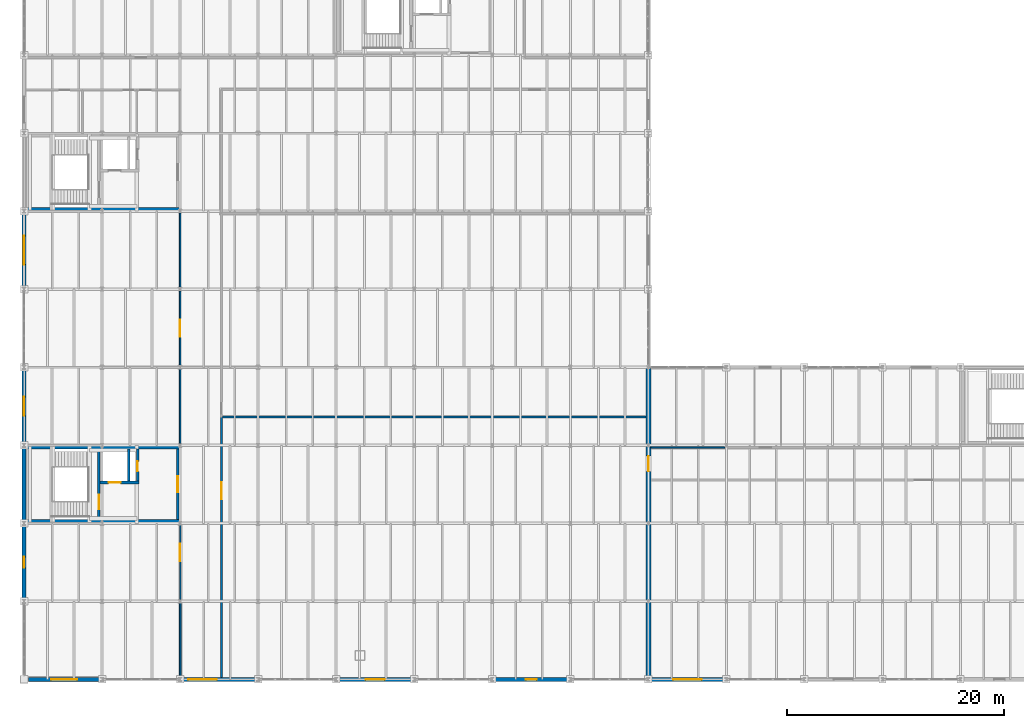
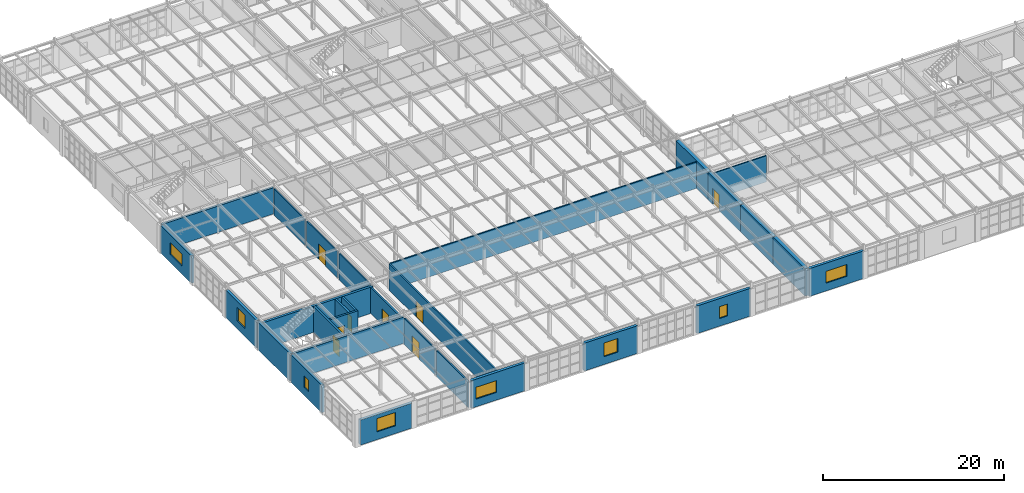
# One storey, part 122 of 137: 29 walls, 8 doors, 8 windows, 16 openings.
"""IFC4 building model written with IfcOpenShell, lengths in metres."""

from ifc_helpers import new_model, si_unit, direction, frame, frame_2d, origin, place, context, subcontext, project, spatial, rectangle, extrude, material, layer, layer_set, type_object, element, fill, save


model = new_model("IFC4")

# Units and contexts
model_context = context("Model", 3, precision=1e-05, world=origin(), true_north=direction((0.0, 1.0)))
body_context = subcontext(model_context, "Body", "Model", "MODEL_VIEW")
ifc_project = project(units=[si_unit("LENGTHUNIT", "METRE"), si_unit("AREAUNIT", "SQUARE_METRE"), si_unit("VOLUMEUNIT", "CUBIC_METRE"), si_unit("PLANEANGLEUNIT", "RADIAN"), si_unit("MASSUNIT", "GRAM", prefix="KILO")], contexts=[model_context])

# Site, building, storey
site_placement = place(None, origin())
site = spatial("IfcSite", under=ifc_project, at=site_placement, CompositionType="ELEMENT")
building_placement = place(site_placement, origin())
building = spatial("IfcBuilding", under=site, at=building_placement, Name="Kemerveld Promenade Tramway Depot", CompositionType="ELEMENT")
storey_placement = place(building_placement, frame((0.0, 0.0, 5.39990234375)))
storey = spatial("IfcBuildingStorey", under=building, at=storey_placement, Name="L01", CompositionType="ELEMENT", Elevation=5.39990234375)

# Wall, opening, door
ifc_material_1 = material(Name="Concrete C40/50", Category="concrete")
ifc_layer_1 = layer(ifc_material_1, 0.25)
ifc_layer_set_1 = layer_set([ifc_layer_1], Name="WL-CORE-250")
wall_type_1 = type_object("IfcWallType", Name="WL-CORE-250", PredefinedType="SHEAR", material=ifc_layer_set_1)
wall_1_placement = place(storey_placement, frame((6.89990234375, 14.75, 0.0), z_axis=(0.0, 0.0, 1.0), x_axis=(0.0, 1.0, 0.0)))
wall_1 = element("IfcWall", 1, at=wall_1_placement, inside=storey, type_object=wall_type_1, Name="WL-C1-L01-SDIV", PredefinedType="SHEAR", context=body_context, shape_type="SweptSolid", body=[
    extrude(rectangle(XDim=6.5, YDim=0.25, at=frame_2d((3.25, 0.0))), origin(), (0.0, 0.0, 1.0), 3.550048828125),
])
opening_1_placement = place(wall_1_placement, frame((0.949951171875, 0.0, 0.0)))
opening_1 = element("IfcOpeningElement", 2, at=opening_1_placement, cuts=wall_1, Name="Opening D-505", PredefinedType="OPENING", context=body_context, shape_type="SweptSolid", body=[
    extrude(rectangle(XDim=1.35009765625, YDim=2.14990234375, at=frame_2d((0.675048828125, 1.074951171875))), frame((0.0, 0.135009765625, 0.0), z_axis=(0.0, -1.0, 0.0), x_axis=(1.0, 0.0, 0.0)), (0.0, 0.0, 1.0), 0.27001953125),
])
ifc_material_2 = material(Name="Galvanised steel fire stair door", Category="steel")
door_type_1 = type_object("IfcDoorType", Name="DR-FD120", OperationType="NOTDEFINED", PredefinedType="DOOR", material=ifc_material_2)
door_1_placement = place(opening_1_placement, origin())
door_1 = element("IfcDoor", 3, at=door_1_placement, inside=storey, type_object=door_type_1, Name="DR-C1-L01-STAIR", OperationType="SINGLE_SWING_LEFT", OverallHeight=2.14990234375, OverallWidth=1.35009765625, PredefinedType="DOOR", context=body_context, shape_type="SweptSolid", body=[
    extrude(rectangle(XDim=1.35009765625, YDim=2.14990234375, at=frame_2d((0.675048828125, 1.074951171875))), frame((0.0, 0.02490234375, 0.0), z_axis=(0.0, -1.0, 0.0), x_axis=(1.0, 0.0, 0.0)), (0.0, 0.0, 1.0), 0.050048828125),
])
fill(opening_1, door_1)

wall_2_placement = place(storey_placement, frame((7.02490234375, 18.159912109375, 0.0), z_axis=(0.0, 0.0, 1.0), x_axis=(1.0, 0.0, 0.0)))
wall_2 = element("IfcWall", 4, at=wall_2_placement, inside=storey, type_object=wall_type_1, Name="WL-C1-L01-LSHS", PredefinedType="SHEAR", context=body_context, shape_type="SweptSolid", body=[
    extrude(rectangle(XDim=3.580078125, YDim=0.25, at=frame_2d((1.7900390625, 0.0))), origin(), (0.0, 0.0, 1.0), 3.550048828125),
])
opening_2_placement = place(wall_2_placement, frame((0.77490234375, 0.0, 0.0)))
opening_2 = element("IfcOpeningElement", 5, at=opening_2_placement, cuts=wall_2, Name="Opening LD-506", PredefinedType="OPENING", context=body_context, shape_type="SweptSolid", body=[
    extrude(rectangle(XDim=1.10009765625, YDim=2.14990234375, at=frame_2d((0.550048828125, 1.074951171875))), frame((0.0, 0.135009765625, 0.0), z_axis=(0.0, -1.0, 0.0), x_axis=(1.0, 0.0, 0.0)), (0.0, 0.0, 1.0), 0.27001953125),
])
ifc_material_3 = material(Name="Brushed stainless steel sliding lift landing door", Category="steel")
door_type_2 = type_object("IfcDoorType", Name="DR-LD01", OperationType="SLIDING_TO_LEFT", PredefinedType="DOOR", material=ifc_material_3)
door_2_placement = place(opening_2_placement, origin())
door_2 = element("IfcDoor", 6, at=door_2_placement, inside=storey, type_object=door_type_2, Name="DR-C1-L01-LIFT", OperationType="SLIDING_TO_LEFT", OverallHeight=2.14990234375, OverallWidth=1.10009765625, PredefinedType="DOOR", context=body_context, shape_type="SweptSolid", body=[
    extrude(rectangle(XDim=1.10009765625, YDim=2.14990234375, at=frame_2d((0.550048828125, 1.074951171875))), frame((0.0, 0.02490234375, 0.0), z_axis=(0.0, -1.0, 0.0), x_axis=(1.0, 0.0, 0.0)), (0.0, 0.0, 1.0), 0.050048828125),
])
fill(opening_2, door_2)

# Wall
wall_3_placement = place(storey_placement, frame((9.64990234375, 18.284912109375, 0.0), z_axis=(0.0, 0.0, 1.0), x_axis=(0.0, 1.0, 0.0)))
element("IfcWall", 7, at=wall_3_placement, inside=storey, type_object=wall_type_1, Name="WL-C1-L01-LSHM", PredefinedType="SHEAR", context=body_context, shape_type="SweptSolid", body=[
    extrude(rectangle(XDim=2.965087890625, YDim=0.25, at=frame_2d((1.482421875, 0.0))), origin(), (0.0, 0.0, 1.0), 3.550048828125),
])

# Wall, opening, door
wall_4_placement = place(storey_placement, frame((10.47998046875, 18.284912109375, 0.0), z_axis=(0.0, 0.0, 1.0), x_axis=(0.0, 1.0, 0.0)))
wall_4 = element("IfcWall", 8, at=wall_4_placement, inside=storey, type_object=wall_type_1, Name="WL-C1-L01-LSHE", PredefinedType="SHEAR", context=body_context, shape_type="SweptSolid", body=[
    extrude(rectangle(XDim=2.965087890625, YDim=0.25, at=frame_2d((1.482421875, 0.0))), origin(), (0.0, 0.0, 1.0), 3.550048828125),
])
opening_3_placement = place(wall_4_placement, frame((0.89990234375, 0.0, 0.0)))
opening_3 = element("IfcOpeningElement", 9, at=opening_3_placement, cuts=wall_4, Name="Opening D-507", PredefinedType="OPENING", context=body_context, shape_type="SweptSolid", body=[
    extrude(rectangle(XDim=0.919921875, YDim=2.050048828125, at=frame_2d((0.4599609375, 1.02490234375))), frame((0.0, 0.135009765625, 0.0), z_axis=(0.0, -1.0, 0.0), x_axis=(1.0, 0.0, 0.0)), (0.0, 0.0, 1.0), 0.27001953125),
])
ifc_material_4 = material(Name="Steel riser shaft access fire door", Category="steel")
door_type_3 = type_object("IfcDoorType", Name="DR-RSR01", OperationType="NOTDEFINED", PredefinedType="DOOR", material=ifc_material_4)
door_3_placement = place(opening_3_placement, origin())
door_3 = element("IfcDoor", 10, at=door_3_placement, inside=storey, type_object=door_type_3, Name="DR-C1-L01-RISER", OperationType="SINGLE_SWING_RIGHT", OverallHeight=2.050048828125, OverallWidth=0.919921875, PredefinedType="DOOR", context=body_context, shape_type="SweptSolid", body=[
    extrude(rectangle(XDim=0.919921875, YDim=2.050048828125, at=frame_2d((0.4599609375, 1.02490234375))), frame((0.0, 0.02490234375, 0.0), z_axis=(0.0, -1.0, 0.0), x_axis=(1.0, 0.0, 0.0)), (0.0, 0.0, 1.0), 0.050048828125),
])
fill(opening_3, door_3)

# Walls
ifc_layer_2 = layer(ifc_material_1, 0.300048828125)
ifc_layer_set_2 = layer_set([ifc_layer_2], Name="WL-CORE-300")
wall_type_2 = type_object("IfcWallType", Name="WL-CORE-300", PredefinedType="SHEAR", material=ifc_layer_set_2)
for number, where, z_axis, x_axis, name in (
    (11, (0.169921875, 14.60009765625, 0.0), (0.0, 0.0, 1.0), (1.0, 0.0, 0.0), "WL-C1-L01-S"),
    (12, (0.169921875, 21.39990234375, 0.0), (0.0, 0.0, 1.0), (1.0, 0.0, 0.0), "WL-C1-L01-N"),
    (13, (0.169921875, 43.39990234375, 0.0), (0.0, 0.0, 1.0), (1.0, 0.0, 0.0), "WL-C2-L01-S"),
):
    element("IfcWall", number, at=place(storey_placement, frame(where, z_axis=z_axis, x_axis=x_axis)), inside=storey, type_object=wall_type_2, Name=name, PredefinedType="SHEAR", context=body_context, shape_type="SweptSolid", body=[
        extrude(rectangle(XDim=14.22998046875, YDim=0.300048828125, at=frame_2d((7.114990234375, 0.0))), origin(), (0.0, 0.0, 1.0), 3.550048828125),
    ])

# Wall, opening, window
ifc_material_5 = material(Name="Banded granite and red-ochre clay brick masonry", Category="masonry")
ifc_layer_3 = layer(ifc_material_5, 0.35009765625)
ifc_layer_set_3 = layer_set([ifc_layer_3], Name="WL-EXT-350")
wall_type_3 = type_object("IfcWallType", Name="WL-EXT-350", PredefinedType="SOLIDWALL", material=ifc_layer_set_3)
wall_5_placement = place(storey_placement, frame((0.0, 7.383544921875, 0.0), z_axis=(0.0, 0.0, 1.0), x_axis=(0.0, 1.0, 0.0)))
wall_5 = element("IfcWall", 14, at=wall_5_placement, inside=storey, type_object=wall_type_3, Name="WL-L01-V5W-02", PredefinedType="SOLIDWALL", context=body_context, shape_type="SweptSolid", body=[
    extrude(rectangle(XDim=6.8330078125, YDim=0.35009765625, at=frame_2d((3.41650390625, 0.0))), origin(), (0.0, 0.0, 1.0), 3.70361328125),
])
opening_4_placement = place(wall_5_placement, frame((2.916015625, 0.0, 1.050048828125)))
opening_4 = element("IfcOpeningElement", 15, at=opening_4_placement, cuts=wall_5, Name="Opening W-141", PredefinedType="OPENING", context=body_context, shape_type="SweptSolid", body=[
    extrude(rectangle(XDim=1.0, YDim=1.60009765625, at=frame_2d((0.5, 0.800048828125))), frame((0.0, 0.18505859375, 0.0), z_axis=(0.0, -1.0, 0.0), x_axis=(1.0, 0.0, 0.0)), (0.0, 0.0, 1.0), 0.3701171875),
])
ifc_material_6 = material(Name="Bronze anodised aluminium and low-e glass", Category="aluminium")
window_type_1 = type_object("IfcWindowType", Name="WN-20", PartitioningType="SINGLE_PANEL", PredefinedType="WINDOW", material=ifc_material_6)
window_1_placement = place(opening_4_placement, origin())
window_1 = element("IfcWindow", 16, at=window_1_placement, inside=storey, type_object=window_type_1, Name="WN-L01-V5W-02", OverallHeight=1.60009765625, OverallWidth=1.0, PartitioningType="SINGLE_PANEL", PredefinedType="WINDOW", context=body_context, shape_type="SweptSolid", body=[
    extrude(rectangle(XDim=1.0, YDim=1.60009765625, at=frame_2d((0.5, 0.800048828125))), frame((0.0, 0.030029296875, 0.0), z_axis=(0.0, -1.0, 0.0), x_axis=(1.0, 0.0, 0.0)), (0.0, 0.0, 1.0), 0.06005859375),
])
fill(opening_4, window_1)

wall_6_placement = place(storey_placement, frame((0.0, 21.78369140625, 0.0), z_axis=(0.0, 0.0, 1.0), x_axis=(0.0, 1.0, 0.0)))
wall_6 = element("IfcWall", 17, at=wall_6_placement, inside=storey, type_object=wall_type_3, Name="WL-L01-V5W-04", PredefinedType="SOLIDWALL", context=body_context, shape_type="SweptSolid", body=[
    extrude(rectangle(XDim=6.832763671875, YDim=0.35009765625, at=frame_2d((3.41650390625, 0.0))), origin(), (0.0, 0.0, 1.0), 3.70361328125),
])
opening_5_placement = place(wall_6_placement, frame((2.541015625, 0.0, 1.050048828125)))
opening_5 = element("IfcOpeningElement", 18, at=opening_5_placement, cuts=wall_6, Name="Opening W-142", PredefinedType="OPENING", context=body_context, shape_type="SweptSolid", body=[
    extrude(rectangle(XDim=1.75, YDim=1.85009765625, at=frame_2d((0.875, 0.925048828125))), frame((0.0, 0.18505859375, 0.0), z_axis=(0.0, -1.0, 0.0), x_axis=(1.0, 0.0, 0.0)), (0.0, 0.0, 1.0), 0.3701171875),
])
window_type_2 = type_object("IfcWindowType", Name="WN-30", PartitioningType="SINGLE_PANEL", PredefinedType="WINDOW", material=ifc_material_6)
window_2_placement = place(opening_5_placement, origin())
window_2 = element("IfcWindow", 19, at=window_2_placement, inside=storey, type_object=window_type_2, Name="WN-L01-V5W-04", OverallHeight=1.85009765625, OverallWidth=1.75, PartitioningType="SINGLE_PANEL", PredefinedType="WINDOW", context=body_context, shape_type="SweptSolid", body=[
    extrude(rectangle(XDim=1.75, YDim=1.85009765625, at=frame_2d((0.875, 0.925048828125))), frame((0.0, 0.030029296875, 0.0), z_axis=(0.0, -1.0, 0.0), x_axis=(1.0, 0.0, 0.0)), (0.0, 0.0, 1.0), 0.06005859375),
])
fill(opening_5, window_2)

wall_7_placement = place(storey_placement, frame((0.0, 36.18359375, 0.0), z_axis=(0.0, 0.0, 1.0), x_axis=(0.0, 1.0, 0.0)))
wall_7 = element("IfcWall", 20, at=wall_7_placement, inside=storey, type_object=wall_type_3, Name="WL-L01-V5W-06", PredefinedType="SOLIDWALL", context=body_context, shape_type="SweptSolid", body=[
    extrude(rectangle(XDim=6.8330078125, YDim=0.35009765625, at=frame_2d((3.41650390625, 0.0))), origin(), (0.0, 0.0, 1.0), 3.70361328125),
])
opening_6_placement = place(wall_7_placement, frame((2.091064453125, 0.0, 1.050048828125)))
opening_6 = element("IfcOpeningElement", 21, at=opening_6_placement, cuts=wall_7, Name="Opening W-143", PredefinedType="OPENING", context=body_context, shape_type="SweptSolid", body=[
    extrude(rectangle(XDim=2.64990234375, YDim=1.60009765625, at=frame_2d((1.324951171875, 0.800048828125))), frame((0.0, 0.18505859375, 0.0), z_axis=(0.0, -1.0, 0.0), x_axis=(1.0, 0.0, 0.0)), (0.0, 0.0, 1.0), 0.3701171875),
])
window_type_3 = type_object("IfcWindowType", Name="WN-40", PartitioningType="SINGLE_PANEL", PredefinedType="WINDOW", material=ifc_material_6)
window_3_placement = place(opening_6_placement, origin())
window_3 = element("IfcWindow", 22, at=window_3_placement, inside=storey, type_object=window_type_3, Name="WN-L01-V5W-06", OverallHeight=1.60009765625, OverallWidth=2.64990234375, PartitioningType="SINGLE_PANEL", PredefinedType="WINDOW", context=body_context, shape_type="SweptSolid", body=[
    extrude(rectangle(XDim=2.64990234375, YDim=1.60009765625, at=frame_2d((1.324951171875, 0.800048828125))), frame((0.0, 0.030029296875, 0.0), z_axis=(0.0, -1.0, 0.0), x_axis=(1.0, 0.0, 0.0)), (0.0, 0.0, 1.0), 0.06005859375),
])
fill(opening_6, window_3)

wall_8_placement = place(storey_placement, frame((50.216552734375, 0.0, 0.0), z_axis=(0.0, 0.0, 1.0), x_axis=(-1.0, 0.0, 0.0)))
wall_8 = element("IfcWall", 23, at=wall_8_placement, inside=storey, type_object=wall_type_3, Name="WL-L01-V5S-02", PredefinedType="SOLIDWALL", context=body_context, shape_type="SweptSolid", body=[
    extrude(rectangle(XDim=6.8330078125, YDim=0.35009765625, at=frame_2d((3.41650390625, 0.0))), origin(), (0.0, 0.0, 1.0), 3.75),
])
opening_7_placement = place(wall_8_placement, frame((2.916015625, 0.0, 1.050048828125)))
opening_7 = element("IfcOpeningElement", 24, at=opening_7_placement, cuts=wall_8, Name="Opening W-153", PredefinedType="OPENING", context=body_context, shape_type="SweptSolid", body=[
    extrude(rectangle(XDim=1.0, YDim=1.60009765625, at=frame_2d((0.5, 0.800048828125))), frame((0.0, 0.18505859375, 0.0), z_axis=(0.0, -1.0, 0.0), x_axis=(1.0, 0.0, 0.0)), (0.0, 0.0, 1.0), 0.3701171875),
])
window_4_placement = place(opening_7_placement, origin())
window_4 = element("IfcWindow", 25, at=window_4_placement, inside=storey, type_object=window_type_1, Name="WN-L01-V5S-02", OverallHeight=1.60009765625, OverallWidth=1.0, PartitioningType="SINGLE_PANEL", PredefinedType="WINDOW", context=body_context, shape_type="SweptSolid", body=[
    extrude(rectangle(XDim=1.0, YDim=1.60009765625, at=frame_2d((0.5, 0.800048828125))), frame((0.0, 0.030029296875, 0.0), z_axis=(0.0, -1.0, 0.0), x_axis=(1.0, 0.0, 0.0)), (0.0, 0.0, 1.0), 0.06005859375),
])
fill(opening_7, window_4)

wall_9_placement = place(storey_placement, frame((35.81640625, 0.0, 0.0), z_axis=(0.0, 0.0, 1.0), x_axis=(-1.0, 0.0, 0.0)))
wall_9 = element("IfcWall", 26, at=wall_9_placement, inside=storey, type_object=wall_type_3, Name="WL-L01-V5S-04", PredefinedType="SOLIDWALL", context=body_context, shape_type="SweptSolid", body=[
    extrude(rectangle(XDim=6.832763671875, YDim=0.35009765625, at=frame_2d((3.41650390625, 0.0))), origin(), (0.0, 0.0, 1.0), 3.75),
])
opening_8_placement = place(wall_9_placement, frame((2.541015625, 0.0, 1.050048828125)))
opening_8 = element("IfcOpeningElement", 27, at=opening_8_placement, cuts=wall_9, Name="Opening W-154", PredefinedType="OPENING", context=body_context, shape_type="SweptSolid", body=[
    extrude(rectangle(XDim=1.75, YDim=1.85009765625, at=frame_2d((0.875, 0.925048828125))), frame((0.0, 0.18505859375, 0.0), z_axis=(0.0, -1.0, 0.0), x_axis=(1.0, 0.0, 0.0)), (0.0, 0.0, 1.0), 0.3701171875),
])
window_5_placement = place(opening_8_placement, origin())
window_5 = element("IfcWindow", 28, at=window_5_placement, inside=storey, type_object=window_type_2, Name="WN-L01-V5S-04", OverallHeight=1.85009765625, OverallWidth=1.75, PartitioningType="SINGLE_PANEL", PredefinedType="WINDOW", context=body_context, shape_type="SweptSolid", body=[
    extrude(rectangle(XDim=1.75, YDim=1.85009765625, at=frame_2d((0.875, 0.925048828125))), frame((0.0, 0.030029296875, 0.0), z_axis=(0.0, -1.0, 0.0), x_axis=(1.0, 0.0, 0.0)), (0.0, 0.0, 1.0), 0.06005859375),
])
fill(opening_8, window_5)

wall_10_placement = place(storey_placement, frame((21.41650390625, 0.0, 0.0), z_axis=(0.0, 0.0, 1.0), x_axis=(-1.0, 0.0, 0.0)))
wall_10 = element("IfcWall", 29, at=wall_10_placement, inside=storey, type_object=wall_type_3, Name="WL-L01-V5S-06", PredefinedType="SOLIDWALL", context=body_context, shape_type="SweptSolid", body=[
    extrude(rectangle(XDim=6.8330078125, YDim=0.35009765625, at=frame_2d((3.41650390625, 0.0))), origin(), (0.0, 0.0, 1.0), 3.75),
])
opening_9_placement = place(wall_10_placement, frame((3.625, 0.0, 1.050048828125)))
opening_9 = element("IfcOpeningElement", 30, at=opening_9_placement, cuts=wall_10, Name="Opening W-155", PredefinedType="OPENING", context=body_context, shape_type="SweptSolid", body=[
    extrude(rectangle(XDim=2.64990234375, YDim=1.60009765625, at=frame_2d((1.324951171875, 0.800048828125))), frame((0.0, 0.18505859375, 0.0), z_axis=(0.0, -1.0, 0.0), x_axis=(1.0, 0.0, 0.0)), (0.0, 0.0, 1.0), 0.3701171875),
])
window_6_placement = place(opening_9_placement, origin())
window_6 = element("IfcWindow", 31, at=window_6_placement, inside=storey, type_object=window_type_3, Name="WN-L01-V5S-06", OverallHeight=1.60009765625, OverallWidth=2.64990234375, PartitioningType="SINGLE_PANEL", PredefinedType="WINDOW", context=body_context, shape_type="SweptSolid", body=[
    extrude(rectangle(XDim=2.64990234375, YDim=1.60009765625, at=frame_2d((1.324951171875, 0.800048828125))), frame((0.0, 0.030029296875, 0.0), z_axis=(0.0, -1.0, 0.0), x_axis=(1.0, 0.0, 0.0)), (0.0, 0.0, 1.0), 0.06005859375),
])
fill(opening_9, window_6)

wall_11_placement = place(storey_placement, frame((7.016357421875, 0.0, 0.0), z_axis=(0.0, 0.0, 1.0), x_axis=(-1.0, 0.0, 0.0)))
wall_11 = element("IfcWall", 32, at=wall_11_placement, inside=storey, type_object=wall_type_3, Name="WL-L01-V5S-08", PredefinedType="SOLIDWALL", context=body_context, shape_type="SweptSolid", body=[
    extrude(rectangle(XDim=6.621337890625, YDim=0.35009765625, at=frame_2d((3.310546875, 0.0))), origin(), (0.0, 0.0, 1.0), 3.39013671875),
])
opening_10_placement = place(wall_11_placement, frame((2.111083984375, 0.0, 1.050048828125)))
opening_10 = element("IfcOpeningElement", 33, at=opening_10_placement, cuts=wall_11, Name="Opening W-156", PredefinedType="OPENING", context=body_context, shape_type="SweptSolid", body=[
    extrude(rectangle(XDim=2.39990234375, YDim=1.800048828125, at=frame_2d((1.199951171875, 0.89990234375))), frame((0.0, 0.18505859375, 0.0), z_axis=(0.0, -1.0, 0.0), x_axis=(1.0, 0.0, 0.0)), (0.0, 0.0, 1.0), 0.3701171875),
])
window_type_4 = type_object("IfcWindowType", Name="WN-10", PartitioningType="SINGLE_PANEL", PredefinedType="WINDOW", material=ifc_material_6)
window_7_placement = place(opening_10_placement, origin())
window_7 = element("IfcWindow", 34, at=window_7_placement, inside=storey, type_object=window_type_4, Name="WN-L01-V5S-08", OverallHeight=1.800048828125, OverallWidth=2.39990234375, PartitioningType="SINGLE_PANEL", PredefinedType="WINDOW", context=body_context, shape_type="SweptSolid", body=[
    extrude(rectangle(XDim=2.39990234375, YDim=1.800048828125, at=frame_2d((1.199951171875, 0.89990234375))), frame((0.0, 0.030029296875, 0.0), z_axis=(0.0, -1.0, 0.0), x_axis=(1.0, 0.0, 0.0)), (0.0, 0.0, 1.0), 0.06005859375),
])
fill(opening_10, window_7)

wall_12_placement = place(storey_placement, frame((64.64990234375, 0.0, 0.0), z_axis=(0.0, 0.0, 1.0), x_axis=(-1.0, 0.0, 0.0)))
wall_12 = element("IfcWall", 35, at=wall_12_placement, inside=storey, type_object=wall_type_3, Name="WL-L01-V4S-14", PredefinedType="SOLIDWALL", context=body_context, shape_type="SweptSolid", body=[
    extrude(rectangle(XDim=6.89990234375, YDim=0.35009765625, at=frame_2d((3.449951171875, 0.0))), origin(), (0.0, 0.0, 1.0), 3.75),
])
opening_11_placement = place(wall_12_placement, frame((2.125, 0.0, 1.050048828125)))
opening_11 = element("IfcOpeningElement", 36, at=opening_11_placement, cuts=wall_12, Name="Opening W-163", PredefinedType="OPENING", context=body_context, shape_type="SweptSolid", body=[
    extrude(rectangle(XDim=2.64990234375, YDim=1.60009765625, at=frame_2d((1.324951171875, 0.800048828125))), frame((0.0, 0.18505859375, 0.0), z_axis=(0.0, -1.0, 0.0), x_axis=(1.0, 0.0, 0.0)), (0.0, 0.0, 1.0), 0.3701171875),
])
window_8_placement = place(opening_11_placement, origin())
window_8 = element("IfcWindow", 37, at=window_8_placement, inside=storey, type_object=window_type_3, Name="WN-L01-V4S-14", OverallHeight=1.60009765625, OverallWidth=2.64990234375, PartitioningType="SINGLE_PANEL", PredefinedType="WINDOW", context=body_context, shape_type="SweptSolid", body=[
    extrude(rectangle(XDim=2.64990234375, YDim=1.60009765625, at=frame_2d((1.324951171875, 0.800048828125))), frame((0.0, 0.030029296875, 0.0), z_axis=(0.0, -1.0, 0.0), x_axis=(1.0, 0.0, 0.0)), (0.0, 0.0, 1.0), 0.06005859375),
])
fill(opening_11, window_8)

# Walls
ifc_layer_4 = layer(ifc_material_1, 0.360107421875)
ifc_layer_set_4 = layer_set([ifc_layer_4], Name="WL-EXT-CORE")
wall_type_4 = type_object("IfcWallType", Name="WL-EXT-CORE", PredefinedType="SHEAR", material=ifc_layer_set_4)
wall_13_placement = place(storey_placement, frame((0.0, 14.39990234375, 0.0), z_axis=(0.0, 0.0, 1.0), x_axis=(0.0, 1.0, 0.0)))
element("IfcWall", 38, at=wall_13_placement, inside=storey, type_object=wall_type_4, Name="WL-L01-V5W-03", PredefinedType="SHEAR", context=body_context, shape_type="SweptSolid", body=[
    extrude(rectangle(XDim=7.2001953125, YDim=0.360107421875, at=frame_2d((3.60009765625, 0.0))), origin(), (0.0, 0.0, 1.0), 3.70361328125),
])
ifc_layer_5 = layer(ifc_material_1, 0.449951171875)
ifc_layer_set_5 = layer_set([ifc_layer_5], Name="WL-FIRE-450")
wall_type_5 = type_object("IfcWallType", Name="WL-FIRE-450", PredefinedType="SOLIDWALL", material=ifc_layer_set_5)
wall_14_placement = place(storey_placement, frame((57.60009765625, 0.128173828125, 0.0), z_axis=(0.0, 0.0, 1.0), x_axis=(0.0, 1.0, 0.0)))
element("IfcWall", 39, at=wall_14_placement, inside=storey, type_object=wall_type_5, Name="WL-FIRE-L01-F54-1", PredefinedType="SOLIDWALL", context=body_context, shape_type="SweptSolid", body=[
    extrude(rectangle(XDim=7.07177734375, YDim=0.449951171875, at=frame_2d((3.535888671875, 0.0))), origin(), (0.0, 0.0, 1.0), 3.693603515625),
])
wall_15_placement = place(storey_placement, frame((57.60009765625, 7.199951171875, 0.0), z_axis=(0.0, 0.0, 1.0), x_axis=(0.0, 1.0, 0.0)))
element("IfcWall", 40, at=wall_15_placement, inside=storey, type_object=wall_type_5, Name="WL-FIRE-L01-F54-2", PredefinedType="SOLIDWALL", context=body_context, shape_type="SweptSolid", body=[
    extrude(rectangle(XDim=7.199951171875, YDim=0.449951171875, at=frame_2d((3.60009765625, 0.0))), origin(), (0.0, 0.0, 1.0), 3.693603515625),
])

# Wall, opening, door
wall_16_placement = place(storey_placement, frame((57.60009765625, 14.39990234375, 0.0), z_axis=(0.0, 0.0, 1.0), x_axis=(0.0, 1.0, 0.0)))
wall_16 = element("IfcWall", 41, at=wall_16_placement, inside=storey, type_object=wall_type_5, Name="WL-FIRE-L01-F54-3", PredefinedType="SOLIDWALL", context=body_context, shape_type="SweptSolid", body=[
    extrude(rectangle(XDim=7.2001953125, YDim=0.449951171875, at=frame_2d((3.60009765625, 0.0))), origin(), (0.0, 0.0, 1.0), 3.693603515625),
])
opening_12_placement = place(wall_16_placement, frame((4.800048828125, 0.0, 0.0)))
opening_12 = element("IfcOpeningElement", 42, at=opening_12_placement, cuts=wall_16, Name="Opening D-587", PredefinedType="OPENING", context=body_context, shape_type="SweptSolid", body=[
    extrude(rectangle(XDim=1.39990234375, YDim=2.14990234375, at=frame_2d((0.699951171875, 1.074951171875))), frame((0.0, 0.23486328125, 0.0), z_axis=(0.0, -1.0, 0.0), x_axis=(1.0, 0.0, 0.0)), (0.0, 0.0, 1.0), 0.469970703125),
])
ifc_material_7 = material(Name="Timber-faced fire corridor door", Category="wood")
door_type_4 = type_object("IfcDoorType", Name="DR-FD60B", OperationType="NOTDEFINED", PredefinedType="DOOR", material=ifc_material_7)
door_4_placement = place(opening_12_placement, origin())
door_4 = element("IfcDoor", 43, at=door_4_placement, inside=storey, type_object=door_type_4, Name="DR-LINK-L01-F54", OperationType="SINGLE_SWING_LEFT", OverallHeight=2.14990234375, OverallWidth=1.39990234375, PredefinedType="DOOR", context=body_context, shape_type="SweptSolid", body=[
    extrude(rectangle(XDim=1.39990234375, YDim=2.14990234375, at=frame_2d((0.699951171875, 1.074951171875))), frame((0.0, 0.02490234375, 0.0), z_axis=(0.0, -1.0, 0.0), x_axis=(1.0, 0.0, 0.0)), (0.0, 0.0, 1.0), 0.050048828125),
])
fill(opening_12, door_4)

# Wall
wall_17_placement = place(storey_placement, frame((57.60009765625, 21.60009765625, 0.0), z_axis=(0.0, 0.0, 1.0), x_axis=(0.0, 1.0, 0.0)))
element("IfcWall", 44, at=wall_17_placement, inside=storey, type_object=wall_type_5, Name="WL-FIRE-L01-F54-4", PredefinedType="SOLIDWALL", context=body_context, shape_type="SweptSolid", body=[
    extrude(rectangle(XDim=7.07177734375, YDim=0.449951171875, at=frame_2d((3.535888671875, 0.0))), origin(), (0.0, 0.0, 1.0), 3.693603515625),
])

# Wall, opening, door
ifc_material_8 = material(Name="Concrete blockwork C35/45", Category="masonry")
ifc_layer_6 = layer(ifc_material_8, 0.199951171875)
ifc_layer_set_6 = layer_set([ifc_layer_6], Name="WL-LOB-200")
wall_type_6 = type_object("IfcWallType", Name="WL-LOB-200", PredefinedType="SOLIDWALL", material=ifc_layer_set_6)
wall_18_placement = place(storey_placement, frame((14.179931640625, 14.75, 0.0), z_axis=(0.0, 0.0, 1.0), x_axis=(0.0, 1.0, 0.0)))
wall_18 = element("IfcWall", 45, at=wall_18_placement, inside=storey, type_object=wall_type_6, Name="WL-C1-L01-LOB", PredefinedType="SOLIDWALL", context=body_context, shape_type="SweptSolid", body=[
    extrude(rectangle(XDim=6.5, YDim=0.199951171875, at=frame_2d((3.25, 0.0))), origin(), (0.0, 0.0, 1.0), 3.550048828125),
])
opening_13_placement = place(wall_18_placement, frame((2.5, 0.0, 0.0)))
opening_13 = element("IfcOpeningElement", 46, at=opening_13_placement, cuts=wall_18, Name="Opening D-508", PredefinedType="OPENING", context=body_context, shape_type="SweptSolid", body=[
    extrude(rectangle(XDim=1.5, YDim=2.14990234375, at=frame_2d((0.75, 1.074951171875))), frame((0.0, 0.10986328125, 0.0), z_axis=(0.0, -1.0, 0.0), x_axis=(1.0, 0.0, 0.0)), (0.0, 0.0, 1.0), 0.219970703125),
])
ifc_material_9 = material(Name="Timber-faced acoustic fire lobby door", Category="wood")
door_type_5 = type_object("IfcDoorType", Name="DR-FD60A", OperationType="NOTDEFINED", PredefinedType="DOOR", material=ifc_material_9)
door_5_placement = place(opening_13_placement, origin())
door_5 = element("IfcDoor", 47, at=door_5_placement, inside=storey, type_object=door_type_5, Name="DR-C1-L01-LOBBY", OperationType="SINGLE_SWING_LEFT", OverallHeight=2.14990234375, OverallWidth=1.5, PredefinedType="DOOR", context=body_context, shape_type="SweptSolid", body=[
    extrude(rectangle(XDim=1.5, YDim=2.14990234375, at=frame_2d((0.75, 1.074951171875))), frame((0.0, 0.02490234375, 0.0), z_axis=(0.0, -1.0, 0.0), x_axis=(1.0, 0.0, 0.0)), (0.0, 0.0, 1.0), 0.050048828125),
])
fill(opening_13, door_5)

# Walls
ifc_material_10 = material(Name="Fire-rated gypsum stud partition")
ifc_layer_7 = layer(ifc_material_10, 0.14501953125)
ifc_layer_set_7 = layer_set([ifc_layer_7], Name="WL-PRT-145")
wall_type_7 = type_object("IfcWallType", Name="WL-PRT-145", PredefinedType="PARTITIONING", material=ifc_layer_set_7)
wall_19_placement = place(storey_placement, frame((57.824951171875, 21.39990234375, 0.0), z_axis=(0.0, 0.0, 1.0), x_axis=(1.0, 0.0, 0.0)))
element("IfcWall", 48, at=wall_19_placement, inside=storey, type_object=wall_type_7, Name="WL-PRT-RM-L01-V4-EDU-S1", PredefinedType="PARTITIONING", context=body_context, shape_type="SweptSolid", body=[
    extrude(rectangle(XDim=6.844970703125, YDim=0.14501953125, at=frame_2d((3.42236328125, 0.0))), origin(), (0.0, 0.0, 1.0), 3.550048828125),
])
wall_20_placement = place(storey_placement, frame((14.39990234375, 21.76611328125, 0.0), z_axis=(0.0, 0.0, 1.0), x_axis=(0.0, 1.0, 0.0)))
element("IfcWall", 49, at=wall_20_placement, inside=storey, type_object=wall_type_7, Name="WL-PRT-RM-L01-V5-REST-S1", PredefinedType="PARTITIONING", context=body_context, shape_type="SweptSolid", body=[
    extrude(rectangle(XDim=6.867919921875, YDim=0.14501953125, at=frame_2d((3.43408203125, 0.0))), origin(), (0.0, 0.0, 1.0), 3.550048828125),
])

# Wall, opening, door
wall_21_placement = place(storey_placement, frame((14.39990234375, 28.966064453125, 0.0), z_axis=(0.0, 0.0, 1.0), x_axis=(0.0, 1.0, 0.0)))
wall_21 = element("IfcWall", 50, at=wall_21_placement, inside=storey, type_object=wall_type_7, Name="WL-PRT-RM-L01-V5-REST", PredefinedType="PARTITIONING", context=body_context, shape_type="SweptSolid", body=[
    extrude(rectangle(XDim=6.867919921875, YDim=0.14501953125, at=frame_2d((3.43408203125, 0.0))), origin(), (0.0, 0.0, 1.0), 3.550048828125),
])
opening_14_placement = place(wall_21_placement, frame((2.64404296875, 0.0, 0.0)))
opening_14 = element("IfcOpeningElement", 51, at=opening_14_placement, cuts=wall_21, Name="Opening D-645", PredefinedType="OPENING", context=body_context, shape_type="SweptSolid", body=[
    extrude(rectangle(XDim=1.580078125, YDim=2.080078125, at=frame_2d((0.7900390625, 1.0400390625))), frame((0.0, 0.08251953125, 0.0), z_axis=(0.0, -1.0, 0.0), x_axis=(1.0, 0.0, 0.0)), (0.0, 0.0, 1.0), 0.1650390625),
])
ifc_material_11 = material(Name="Hardwood interior room door", Category="wood")
door_type_6 = type_object("IfcDoorType", Name="DR-INT32", OperationType="NOTDEFINED", PredefinedType="DOOR", material=ifc_material_11)
door_6_placement = place(opening_14_placement, origin())
door_6 = element("IfcDoor", 52, at=door_6_placement, inside=storey, type_object=door_type_6, Name="DR-RM-RM-L01-V5-REST", OperationType="SINGLE_SWING_RIGHT", OverallHeight=2.080078125, OverallWidth=1.580078125, PredefinedType="DOOR", context=body_context, shape_type="SweptSolid", body=[
    extrude(rectangle(XDim=1.580078125, YDim=2.080078125, at=frame_2d((0.7900390625, 1.0400390625))), frame((0.0, 0.02490234375, 0.0), z_axis=(0.0, -1.0, 0.0), x_axis=(1.0, 0.0, 0.0)), (0.0, 0.0, 1.0), 0.050048828125),
])
fill(opening_14, door_6)

# Walls
wall_22_placement = place(storey_placement, frame((14.39990234375, 36.166015625, 0.0), z_axis=(0.0, 0.0, 1.0), x_axis=(0.0, 1.0, 0.0)))
element("IfcWall", 53, at=wall_22_placement, inside=storey, type_object=wall_type_7, Name="WL-PRT-RM-L01-V5-REST-S3", PredefinedType="PARTITIONING", context=body_context, shape_type="SweptSolid", body=[
    extrude(rectangle(XDim=6.867919921875, YDim=0.14501953125, at=frame_2d((3.43408203125, 0.0))), origin(), (0.0, 0.0, 1.0), 3.550048828125),
])
ifc_material_12 = material(Name="Acoustic twin-stud gypsum partition")
ifc_layer_8 = layer(ifc_material_12, 0.159912109375)
ifc_layer_set_8 = layer_set([ifc_layer_8], Name="WL-PRT-160")
wall_type_8 = type_object("IfcWallType", Name="WL-PRT-160", PredefinedType="PARTITIONING", material=ifc_layer_set_8)
wall_23_placement = place(storey_placement, frame((14.39990234375, 0.175048828125, 0.0), z_axis=(0.0, 0.0, 1.0), x_axis=(0.0, 1.0, 0.0)))
element("IfcWall", 54, at=wall_23_placement, inside=storey, type_object=wall_type_8, Name="WL-PRT-RM-L01-V5-CKIT-S1", PredefinedType="PARTITIONING", context=body_context, shape_type="SweptSolid", body=[
    extrude(rectangle(XDim=6.85888671875, YDim=0.159912109375, at=frame_2d((3.429443359375, 0.0))), origin(), (0.0, 0.0, 1.0), 3.550048828125),
])

# Wall, opening, door
wall_24_placement = place(storey_placement, frame((14.39990234375, 7.365966796875, 0.0), z_axis=(0.0, 0.0, 1.0), x_axis=(0.0, 1.0, 0.0)))
wall_24 = element("IfcWall", 55, at=wall_24_placement, inside=storey, type_object=wall_type_8, Name="WL-PRT-RM-L01-V5-CKIT", PredefinedType="PARTITIONING", context=body_context, shape_type="SweptSolid", body=[
    extrude(rectangle(XDim=6.867919921875, YDim=0.159912109375, at=frame_2d((3.43408203125, 0.0))), origin(), (0.0, 0.0, 1.0), 3.550048828125),
])
opening_15_placement = place(wall_24_placement, frame((3.553955078125, 0.0, 0.0)))
opening_15 = element("IfcOpeningElement", 56, at=opening_15_placement, cuts=wall_24, Name="Opening D-644", PredefinedType="OPENING", context=body_context, shape_type="SweptSolid", body=[
    extrude(rectangle(XDim=1.60009765625, YDim=2.199951171875, at=frame_2d((0.800048828125, 1.10009765625))), frame((0.0, 0.08984375, 0.0), z_axis=(0.0, -1.0, 0.0), x_axis=(1.0, 0.0, 0.0)), (0.0, 0.0, 1.0), 0.179931640625),
])
ifc_material_13 = material(Name="Double glazed gallery and canteen door")
door_type_7 = type_object("IfcDoorType", Name="DR-INT05", OperationType="DOUBLE_SWING_LEFT", PredefinedType="DOOR", material=ifc_material_13)
door_7_placement = place(opening_15_placement, origin())
door_7 = element("IfcDoor", 57, at=door_7_placement, inside=storey, type_object=door_type_7, Name="DR-RM-RM-L01-V5-CKIT", OperationType="DOUBLE_SWING_LEFT", OverallHeight=2.199951171875, OverallWidth=1.60009765625, PredefinedType="DOOR", context=body_context, shape_type="SweptSolid", body=[
    extrude(rectangle(XDim=1.60009765625, YDim=2.199951171875, at=frame_2d((0.800048828125, 1.10009765625))), frame((0.0, 0.02490234375, 0.0), z_axis=(0.0, -1.0, 0.0), x_axis=(1.0, 0.0, 0.0)), (0.0, 0.0, 1.0), 0.050048828125),
])
fill(opening_15, door_7)

# Wall
wall_25_placement = place(storey_placement, frame((18.294921875, 24.199951171875, 0.0), z_axis=(0.0, 0.0, 1.0), x_axis=(1.0, 0.0, 0.0)))
element("IfcWall", 58, at=wall_25_placement, inside=storey, type_object=wall_type_8, Name="WL-DIV-L01-028", PredefinedType="PARTITIONING", context=body_context, shape_type="SweptSolid", body=[
    extrude(rectangle(XDim=39.080078125, YDim=0.159912109375, at=frame_2d((19.5400390625, 0.0))), origin(), (0.0, 0.0, 1.0), 3.550048828125),
])

# Wall, opening, door
ifc_material_14 = material(Name="Plant and substation fire partition")
ifc_layer_9 = layer(ifc_material_14, 0.18994140625)
ifc_layer_set_9 = layer_set([ifc_layer_9], Name="WL-PRT-190")
wall_type_9 = type_object("IfcWallType", Name="WL-PRT-190", PredefinedType="PARTITIONING", material=ifc_layer_set_9)
wall_26_placement = place(storey_placement, frame((18.199951171875, 0.175048828125, 0.0), z_axis=(0.0, 0.0, 1.0), x_axis=(0.0, 1.0, 0.0)))
wall_26 = element("IfcWall", 59, at=wall_26_placement, inside=storey, type_object=wall_type_9, Name="WL-PRT-RM-L01-V5-CANT", PredefinedType="PARTITIONING", context=body_context, shape_type="SweptSolid", body=[
    extrude(rectangle(XDim=24.02490234375, YDim=0.18994140625, at=frame_2d((12.012451171875, 0.0))), origin(), (0.0, 0.0, 1.0), 3.550048828125),
])
opening_16_placement = place(wall_26_placement, frame((16.425048828125, 0.0, 0.0)))
opening_16 = element("IfcOpeningElement", 60, at=opening_16_placement, cuts=wall_26, Name="Opening D-643", PredefinedType="OPENING", context=body_context, shape_type="SweptSolid", body=[
    extrude(rectangle(XDim=1.60009765625, YDim=2.199951171875, at=frame_2d((0.800048828125, 1.10009765625))), frame((0.0, 0.10498046875, 0.0), z_axis=(0.0, -1.0, 0.0), x_axis=(1.0, 0.0, 0.0)), (0.0, 0.0, 1.0), 0.2099609375),
])
door_8_placement = place(opening_16_placement, origin())
door_8 = element("IfcDoor", 61, at=door_8_placement, inside=storey, type_object=door_type_7, Name="DR-RM-RM-L01-V5-CANT", OperationType="DOUBLE_SWING_LEFT", OverallHeight=2.199951171875, OverallWidth=1.60009765625, PredefinedType="DOOR", context=body_context, shape_type="SweptSolid", body=[
    extrude(rectangle(XDim=1.60009765625, YDim=2.199951171875, at=frame_2d((0.800048828125, 1.10009765625))), frame((0.0, 0.02490234375, 0.0), z_axis=(0.0, -1.0, 0.0), x_axis=(1.0, 0.0, 0.0)), (0.0, 0.0, 1.0), 0.050048828125),
])
fill(opening_16, door_8)

save(model, "model.ifc")
